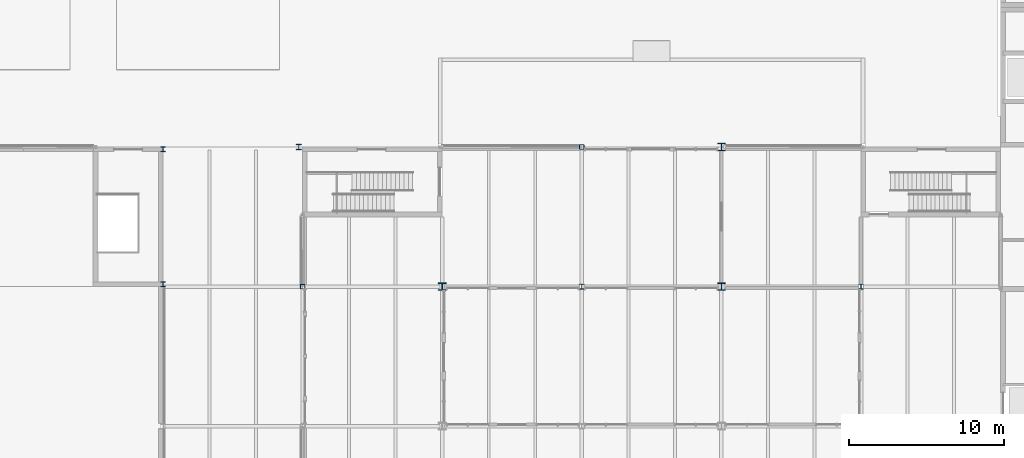
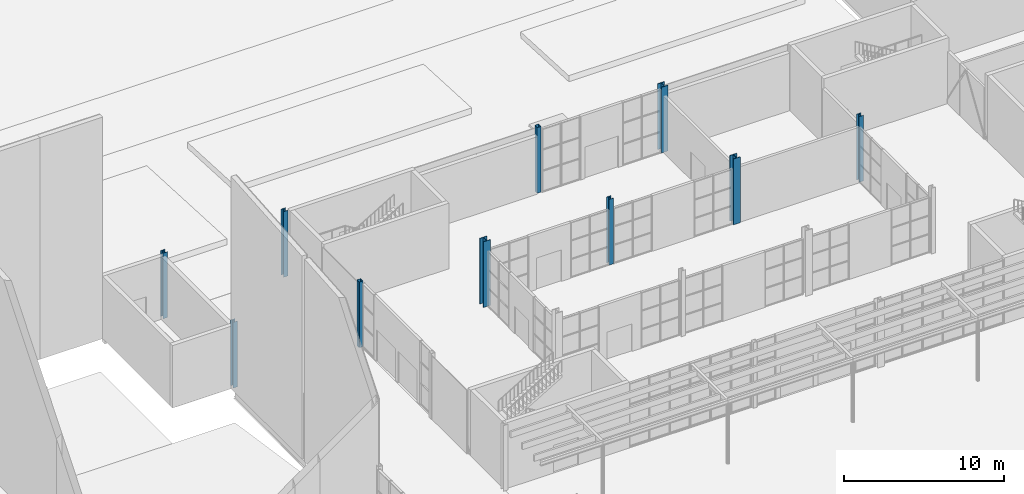
# One storey, part 6 of 63: 10 columns.
"""IFC4 building model written with IfcOpenShell, lengths in metres."""

from ifc_helpers import new_model, si_unit, direction, frame, origin, origin_2d, place, context, subcontext, project, spatial, hollow_rectangle, i_section, extrude, material, material_profile, profile_set, type_object, element, save


model = new_model("IFC4")

# Units and contexts
model_context = context("Model", 3, precision=1e-05, world=origin(), true_north=direction((0.0, 1.0)))
body_context = subcontext(model_context, "Body", "Model", "MODEL_VIEW")
ifc_project = project(units=[si_unit("LENGTHUNIT", "METRE"), si_unit("AREAUNIT", "SQUARE_METRE"), si_unit("VOLUMEUNIT", "CUBIC_METRE"), si_unit("PLANEANGLEUNIT", "RADIAN"), si_unit("MASSUNIT", "GRAM", prefix="KILO")], contexts=[model_context])

# Site, building, storey
site_placement = place(None, origin())
site = spatial("IfcSite", under=ifc_project, at=site_placement, CompositionType="ELEMENT")
building_placement = place(site_placement, origin())
building = spatial("IfcBuilding", under=site, at=building_placement, Name="Halyard Row Museum", CompositionType="ELEMENT")
storey_placement = place(building_placement, origin())
storey = spatial("IfcBuildingStorey", under=building, at=storey_placement, Name="L00", CompositionType="ELEMENT", Elevation=0.0)

# Columns
ifc_material_1 = material(Name="Steel Grade C350L0", Category="steel")
ifc_material_profile_1 = material_profile(ifc_material_1, hollow_rectangle(XDim=0.300048828125, YDim=0.300048828125, WallThickness=0.01611328125, InnerFilletRadius=0.02392578125, OuterFilletRadius=0.0400390625, at=origin_2d()), Name="300x300x16.0SHS")
ifc_profile_set_1 = profile_set([ifc_material_profile_1], Name="Steel Grade C350L0")
column_type_1 = type_object("IfcColumnType", Name="Column 300x300x16.0SHS edge", PredefinedType="COLUMN", material=ifc_profile_set_1)
for number, where, z_axis, x_axis, name in (
    (1, (27.0, 36.0, 0.0), (0.0, 0.0, 1.0), (1.0, 0.0, 0.0), "Column 4E L00"),
    (2, (45.0, 45.0, 0.0), (0.0, 0.0, 1.0), (1.0, 0.0, 0.0), "Column 6F L00"),
):
    element("IfcColumn", number, at=place(storey_placement, frame(where, z_axis=z_axis, x_axis=x_axis)), inside=storey, type_object=column_type_1, Name=name, PredefinedType="COLUMN", context=body_context, shape_type="SweptSolid", body=[
        extrude(hollow_rectangle(XDim=0.300048828125, YDim=0.300048828125, WallThickness=0.01611328125, InnerFilletRadius=0.02392578125, OuterFilletRadius=0.0400390625, at=origin_2d()), origin(), (0.0, 0.0, 1.0), 5.0),
    ])
ifc_material_2 = material(Name="Steel Grade 300", Category="steel")
ifc_material_profile_2 = material_profile(ifc_material_2, i_section(OverallWidth=0.30908203125, OverallDepth=0.320556640625, WebThickness=0.013916015625, FlangeThickness=0.021728515625, FilletRadius=0.0166015625, at=origin_2d()), Name="310UC137")
ifc_profile_set_2 = profile_set([ifc_material_profile_2], Name="Steel Grade 300")
column_type_2 = type_object("IfcColumnType", Name="Column 310UC137 interior", PredefinedType="COLUMN", material=ifc_profile_set_2)
column_1_placement = place(storey_placement, frame((45.0, 36.0, 0.0), z_axis=(0.0, 0.0, 1.0), x_axis=(1.0, 0.0, 0.0)))
element("IfcColumn", 3, at=column_1_placement, inside=storey, type_object=column_type_2, Name="Column 6E L00", PredefinedType="COLUMN", context=body_context, shape_type="SweptSolid", body=[
    extrude(i_section(OverallWidth=0.30908203125, OverallDepth=0.320556640625, WebThickness=0.013916015625, FlangeThickness=0.021728515625, FilletRadius=0.0166015625, at=origin_2d()), origin(), (0.0, 0.0, 1.0), 5.0),
])
ifc_material_3 = material(Name="Steel Grade 300", Category="steel")
ifc_material_profile_3 = material_profile(ifc_material_3, i_section(OverallWidth=0.31103515625, OverallDepth=0.3271484375, WebThickness=0.015625, FlangeThickness=0.02490234375, FilletRadius=0.0166015625, at=origin_2d()), Name="310UC158")
ifc_profile_set_3 = profile_set([ifc_material_profile_3], Name="Steel Grade 300")
column_type_3 = type_object("IfcColumnType", Name="Column 310UC158 interior", PredefinedType="COLUMN", material=ifc_profile_set_3)
column_2_placement = place(storey_placement, frame((63.0, 36.0, 0.0), z_axis=(0.0, 0.0, 1.0), x_axis=(1.0, 0.0, 0.0)))
element("IfcColumn", 4, at=column_2_placement, inside=storey, type_object=column_type_3, Name="Column 8E L00", PredefinedType="COLUMN", context=body_context, shape_type="SweptSolid", body=[
    extrude(i_section(OverallWidth=0.31103515625, OverallDepth=0.3271484375, WebThickness=0.015625, FlangeThickness=0.02490234375, FilletRadius=0.0166015625, at=origin_2d()), origin(), (0.0, 0.0, 1.0), 5.0),
])
ifc_material_4 = material(Name="Steel Grade 300", Category="steel")
ifc_material_profile_4 = material_profile(ifc_material_4, i_section(OverallWidth=0.5, OverallDepth=0.47998046875, WebThickness=0.0400390625, FlangeThickness=0.0400390625, at=origin_2d()), Name="500WC440")
ifc_profile_set_4 = profile_set([ifc_material_profile_4], Name="Steel Grade 300")
column_type_4 = type_object("IfcColumnType", Name="Column 500WC440 truss", PredefinedType="COLUMN", material=ifc_profile_set_4)
for number, where, z_axis, x_axis, name in (
    (5, (36.0, 36.0, 0.0), (0.0, 0.0, 1.0), (1.0, 0.0, 0.0), "Column 5E L00"),
    (6, (54.0, 36.0, 0.0), (0.0, 0.0, 1.0), (1.0, 0.0, 0.0), "Column 7E L00"),
    (7, (54.0, 45.0, 0.0), (0.0, 0.0, 1.0), (1.0, 0.0, 0.0), "Column 7F L00"),
):
    element("IfcColumn", number, at=place(storey_placement, frame(where, z_axis=z_axis, x_axis=x_axis)), inside=storey, type_object=column_type_4, Name=name, PredefinedType="COLUMN", context=body_context, shape_type="SweptSolid", body=[
        extrude(i_section(OverallWidth=0.5, OverallDepth=0.47998046875, WebThickness=0.0400390625, FlangeThickness=0.0400390625, at=origin_2d()), origin(), (0.0, 0.0, 1.0), 5.0),
    ])
ifc_material_5 = material(Name="Steel Grade 300", Category="steel")
ifc_material_profile_5 = material_profile(ifc_material_5, i_section(OverallWidth=0.31103515625, OverallDepth=0.3271484375, WebThickness=0.015625, FlangeThickness=0.02490234375, FilletRadius=0.0166015625, at=origin_2d()), Name="310UC158")
ifc_profile_set_5 = profile_set([ifc_material_profile_5], Name="Steel Grade 300")
column_type_5 = type_object("IfcColumnType", Name="Hall frame column 310UC158", PredefinedType="COLUMN", material=ifc_profile_set_5)
for number, where, z_axis, x_axis, name in (
    (8, (18.0, 36.14990234375, 0.0), (0.0, 0.0, 1.0), (1.0, 0.0, 0.0), "Hall frame column L00 y 36"),
    (9, (18.0, 44.85009765625, 0.0), (0.0, 0.0, 1.0), (1.0, 0.0, 0.0), "Hall frame column L00 y 45"),
):
    element("IfcColumn", number, at=place(storey_placement, frame(where, z_axis=z_axis, x_axis=x_axis)), inside=storey, type_object=column_type_5, Name=name, PredefinedType="COLUMN", context=body_context, shape_type="SweptSolid", body=[
        extrude(i_section(OverallWidth=0.31103515625, OverallDepth=0.3271484375, WebThickness=0.015625, FlangeThickness=0.02490234375, FilletRadius=0.0166015625, at=origin_2d()), origin(), (0.0, 0.0, 1.0), 5.0),
    ])
ifc_material_6 = material(Name="Steel Grade 300", Category="steel")
ifc_material_profile_6 = material_profile(ifc_material_6, i_section(OverallWidth=0.31103515625, OverallDepth=0.3271484375, WebThickness=0.015625, FlangeThickness=0.02490234375, FilletRadius=0.0166015625, at=origin_2d()), Name="310UC158")
ifc_profile_set_6 = profile_set([ifc_material_profile_6], Name="Steel Grade 300")
column_type_6 = type_object("IfcColumnType", Name="Passage column 310UC158", PredefinedType="COLUMN", material=ifc_profile_set_6)
column_3_placement = place(storey_placement, frame((26.755615234375, 45.0, 0.0), z_axis=(0.0, 0.0, 1.0), x_axis=(1.0, 0.0, 0.0)))
element("IfcColumn", 10, at=column_3_placement, inside=storey, type_object=column_type_6, Name="Passage column L00 y 45", PredefinedType="COLUMN", context=body_context, shape_type="SweptSolid", body=[
    extrude(i_section(OverallWidth=0.31103515625, OverallDepth=0.3271484375, WebThickness=0.015625, FlangeThickness=0.02490234375, FilletRadius=0.0166015625, at=origin_2d()), origin(), (0.0, 0.0, 1.0), 5.0),
])

save(model, "model.ifc")
